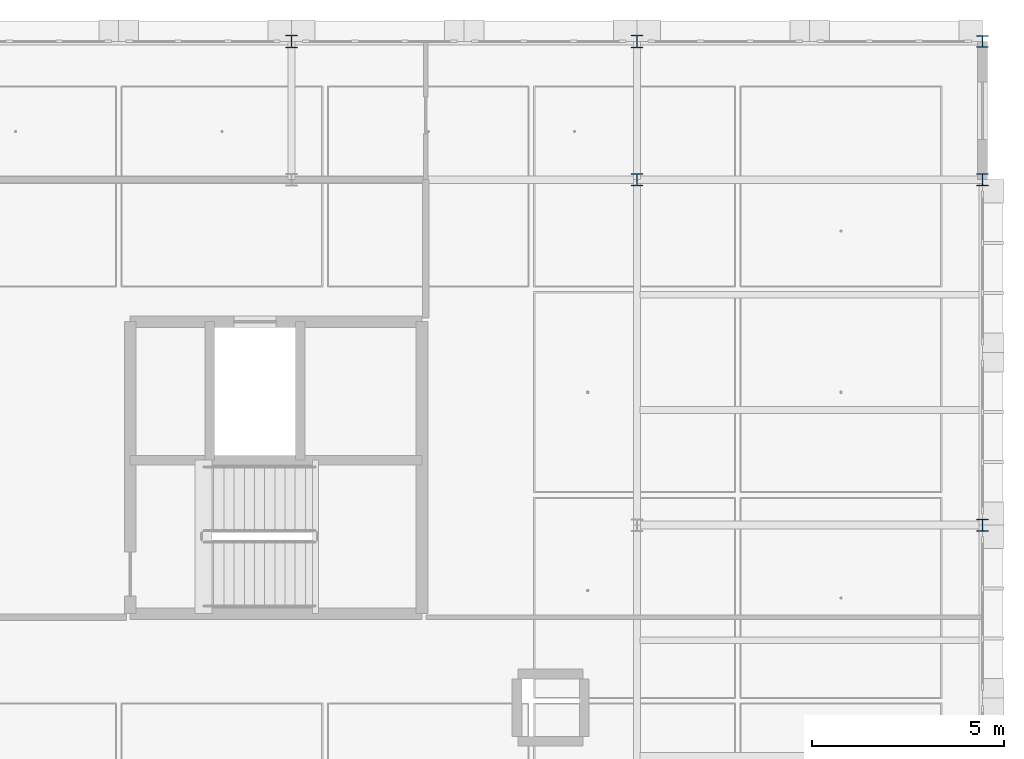
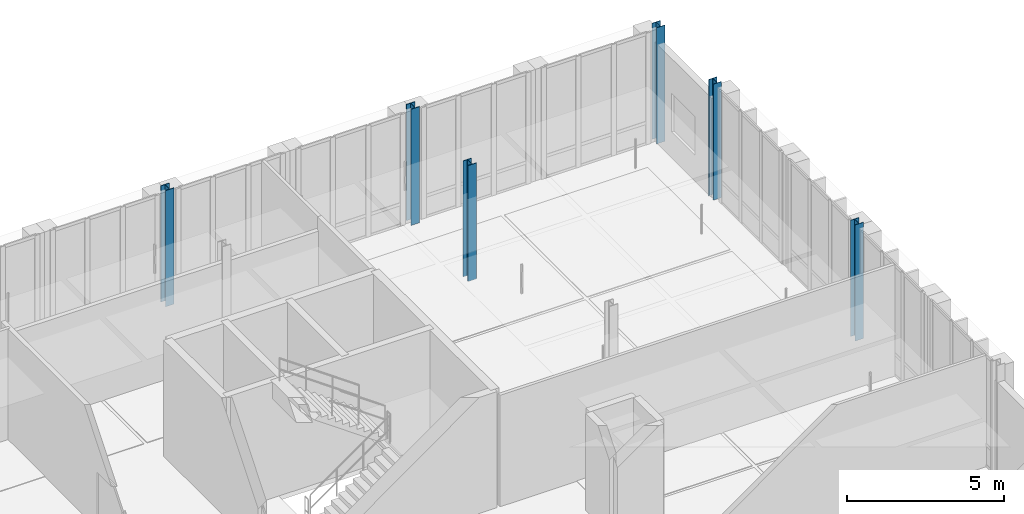
# One storey, part 15 of 89: 6 columns.
"""IFC4 building model written with IfcOpenShell, lengths in metres."""

from ifc_helpers import new_model, si_unit, direction, frame, origin, origin_2d, place, context, subcontext, project, spatial, i_section, extrude, material, material_profile, profile_set, type_object, element, save


model = new_model("IFC4")

# Units and contexts
model_context = context("Model", 3, precision=1e-05, world=origin(), true_north=direction((0.0, 1.0)))
body_context = subcontext(model_context, "Body", "Model", "MODEL_VIEW")
ifc_project = project(units=[si_unit("LENGTHUNIT", "METRE"), si_unit("AREAUNIT", "SQUARE_METRE"), si_unit("VOLUMEUNIT", "CUBIC_METRE"), si_unit("PLANEANGLEUNIT", "RADIAN"), si_unit("MASSUNIT", "GRAM", prefix="KILO"), si_unit("THERMODYNAMICTEMPERATUREUNIT", "KELVIN"), si_unit("POWERUNIT", "WATT")], contexts=[model_context])

# Site, building, storey
site_placement = place(None, origin())
site = spatial("IfcSite", under=ifc_project, at=site_placement, CompositionType="ELEMENT")
building_placement = place(site_placement, origin())
building = spatial("IfcBuilding", under=site, at=building_placement, Name="Tallowbark Science Centre", CompositionType="ELEMENT")
storey_placement = place(building_placement, frame((0.0, 0.0, 14.39990234375)))
storey = spatial("IfcBuildingStorey", under=building, at=storey_placement, Name="L03", CompositionType="ELEMENT", Elevation=14.39990234375)

# Columns
ifc_material = material(Name="Structural Steel Grade 300PLUS (300 MPa)", Category="steel")
ifc_material_profile_1 = material_profile(ifc_material, i_section(OverallWidth=0.311279296875, OverallDepth=0.3271484375, WebThickness=0.015625, FlangeThickness=0.02490234375, FilletRadius=0.0166015625, at=origin_2d()), Name="310UC158")
ifc_profile_set_1 = profile_set([ifc_material_profile_1], Name="Structural Steel Grade 300PLUS (300 MPa)")
column_type_1 = type_object("IfcColumnType", Name="COL-UC310A", PredefinedType="COLUMN", material=ifc_profile_set_1)
for number, where, z_axis, x_axis, name in (
    (1, (139.5, 111.60009765625, 0.0), (0.0, 0.0, 1.0), (1.0, 0.0, 0.0), "Column OBS-3_5 L03"),
    (2, (148.5, 108.0, 0.0), (0.0, 0.0, 1.0), (1.0, 0.0, 0.0), "Column OBS-4_4 L03"),
    (3, (148.5, 111.60009765625, 0.0), (0.0, 0.0, 1.0), (1.0, 0.0, 0.0), "Column OBS-4_5 L03"),
):
    element("IfcColumn", number, at=place(storey_placement, frame(where, z_axis=z_axis, x_axis=x_axis)), inside=storey, type_object=column_type_1, Name=name, PredefinedType="COLUMN", context=body_context, shape_type="SweptSolid", body=[
        extrude(i_section(OverallWidth=0.311279296875, OverallDepth=0.3271484375, WebThickness=0.015625, FlangeThickness=0.02490234375, FilletRadius=0.0166015625, at=origin_2d()), origin(), (0.0, 0.0, 1.0), 4.5),
    ])
ifc_material_profile_2 = material_profile(ifc_material, i_section(OverallWidth=0.304931640625, OverallDepth=0.30810546875, WebThickness=0.010009765625, FlangeThickness=0.015380859375, FilletRadius=0.0166015625, at=origin_2d()), Name="310UC96.8")
ifc_profile_set_2 = profile_set([ifc_material_profile_2], Name="Structural Steel Grade 300PLUS (300 MPa)")
column_type_2 = type_object("IfcColumnType", Name="COL-UC310D", PredefinedType="COLUMN", material=ifc_profile_set_2)
for number, where, z_axis, x_axis, name in (
    (4, (157.5, 99.0, 0.0), (0.0, 0.0, 1.0), (1.0, 0.0, 0.0), "Column OBS-5_3 L03"),
    (5, (157.5, 108.0, 0.0), (0.0, 0.0, 1.0), (1.0, 0.0, 0.0), "Column OBS-5_4 L03"),
    (6, (157.5, 111.60009765625, 0.0), (0.0, 0.0, 1.0), (1.0, 0.0, 0.0), "Column OBS-5_5 L03"),
):
    element("IfcColumn", number, at=place(storey_placement, frame(where, z_axis=z_axis, x_axis=x_axis)), inside=storey, type_object=column_type_2, Name=name, PredefinedType="COLUMN", context=body_context, shape_type="SweptSolid", body=[
        extrude(i_section(OverallWidth=0.304931640625, OverallDepth=0.30810546875, WebThickness=0.010009765625, FlangeThickness=0.015380859375, FilletRadius=0.0166015625, at=origin_2d()), origin(), (0.0, 0.0, 1.0), 4.5),
    ])

save(model, "model.ifc")
